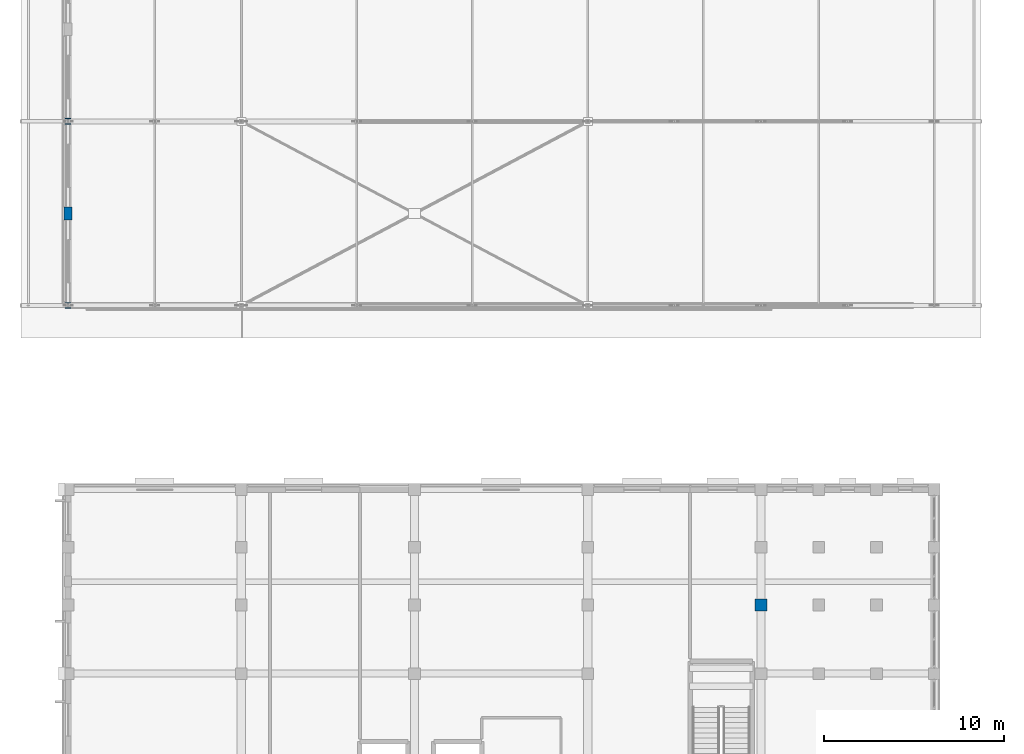
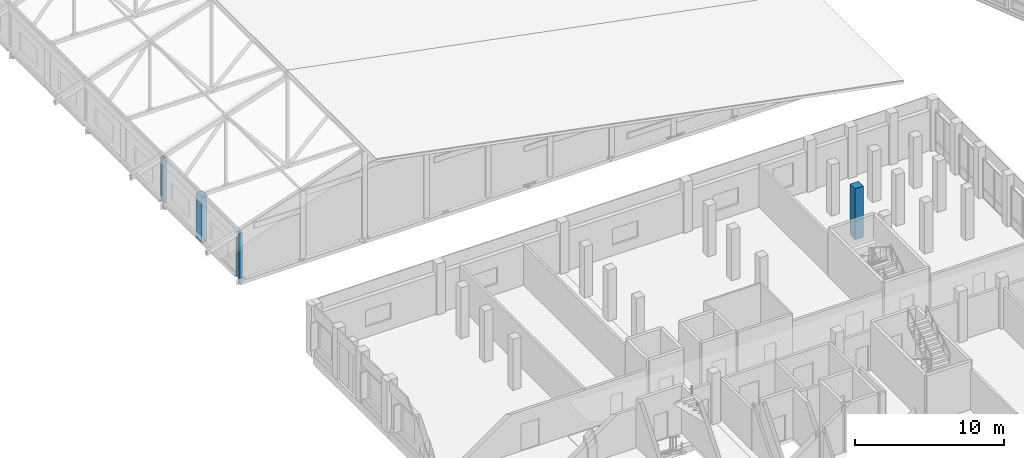
# One storey, part 2 of 200: 4 columns.
"""IFC4 building model written with IfcOpenShell, lengths in metres."""

from ifc_helpers import new_model, si_unit, direction, frame, origin, origin_2d, place, context, subcontext, project, spatial, rectangle, i_section, extrude, material, material_profile, profile_set, type_object, element, save


model = new_model("IFC4")

# Units and contexts
model_context = context("Model", 3, precision=1e-05, world=origin(), true_north=direction((0.0, 1.0)))
body_context = subcontext(model_context, "Body", "Model", "MODEL_VIEW")
ifc_project = project(units=[si_unit("LENGTHUNIT", "METRE"), si_unit("AREAUNIT", "SQUARE_METRE"), si_unit("VOLUMEUNIT", "CUBIC_METRE"), si_unit("PLANEANGLEUNIT", "RADIAN"), si_unit("MASSUNIT", "GRAM", prefix="KILO")], contexts=[model_context])

# Site, building, storey
site_placement = place(None, origin())
site = spatial("IfcSite", under=ifc_project, at=site_placement, CompositionType="ELEMENT")
building_placement = place(site_placement, origin())
building = spatial("IfcBuilding", under=site, at=building_placement, Name="Vondelvale Polytechnic", CompositionType="ELEMENT")
storey_placement = place(building_placement, frame((0.0, 0.0, 13.800048828125)))
storey = spatial("IfcBuildingStorey", under=building, at=storey_placement, Name="L03", CompositionType="ELEMENT", Elevation=13.800048828125)

# Columns
ifc_material_1 = material(Name="Concrete N50 (f'c = 50 MPa)", Category="concrete")
ifc_material_profile_1 = material_profile(ifc_material_1, rectangle(XDim=0.64990234375, YDim=0.64990234375, at=origin_2d()), Name="RC-COL-650x650")
ifc_profile_set_1 = profile_set([ifc_material_profile_1], Name="Concrete N50 (f'c = 50 MPa)")
column_type_1 = type_object("IfcColumnType", Name="COL-RC650", PredefinedType="COLUMN", material=ifc_profile_set_1)
column_1_placement = place(storey_placement, frame((38.39990234375, 34.39990234375, 0.0), z_axis=(0.0, 0.0, 1.0), x_axis=(1.0, 0.0, 0.0)))
element("IfcColumn", 1, at=column_1_placement, inside=storey, type_object=column_type_1, Name="L03 corner wing column (38.4,34.4)", PredefinedType="COLUMN", context=body_context, shape_type="SweptSolid", body=[
    extrude(rectangle(XDim=0.64990234375, YDim=0.64990234375, at=origin_2d()), origin(), (0.0, 0.0, 1.0), 4.199951171875),
])
ifc_material_2 = material(Name="Steel 300PLUS (fy = 300 MPa)", Category="steel")
ifc_material_profile_2 = material_profile(ifc_material_2, i_section(OverallWidth=0.31103515625, OverallDepth=0.326904296875, WebThickness=0.015625, FlangeThickness=0.02490234375, FilletRadius=0.0166015625, at=origin_2d()), Name="310UC158")
ifc_profile_set_2 = profile_set([ifc_material_profile_2], Name="Steel 300PLUS (fy = 300 MPa)")
column_type_2 = type_object("IfcColumnType", Name="COL-UC310H", PredefinedType="COLUMN", material=ifc_profile_set_2)
for number, where, z_axis, x_axis, name in (
    (2, (0.0, 51.0, 0.0), (0.0, 0.0, 1.0), (1.0, 0.0, 0.0), "L03 workshop West high-bay column (0.0,51.0)"),
    (3, (0.0, 61.199951171875, 0.0), (0.0, 0.0, 1.0), (1.0, 0.0, 0.0), "L03 workshop West high-bay column (0.0,61.2)"),
):
    element("IfcColumn", number, at=place(storey_placement, frame(where, z_axis=z_axis, x_axis=x_axis)), inside=storey, type_object=column_type_2, Name=name, PredefinedType="COLUMN", context=body_context, shape_type="SweptSolid", body=[
        extrude(i_section(OverallWidth=0.31103515625, OverallDepth=0.326904296875, WebThickness=0.015625, FlangeThickness=0.02490234375, FilletRadius=0.0166015625, at=origin_2d()), origin(), (0.0, 0.0, 1.0), 3.75),
    ])
ifc_material_profile_3 = material_profile(ifc_material_1, rectangle(XDim=0.449951171875, YDim=0.699951171875, at=origin_2d()), Name="RC-PIL-700x450")
ifc_profile_set_3 = profile_set([ifc_material_profile_3], Name="Concrete N50 (f'c = 50 MPa)")
column_type_3 = type_object("IfcColumnType", Name="PIL-RC700x450", PredefinedType="PILASTER", material=ifc_profile_set_3)
column_2_placement = place(storey_placement, frame((0.0, 56.10009765625, 0.0), z_axis=(0.0, 0.0, 1.0), x_axis=(1.0, 0.0, 0.0)))
element("IfcColumn", 4, at=column_2_placement, inside=storey, type_object=column_type_3, Name="L03 West workshop brick pilaster 1", PredefinedType="PILASTER", context=body_context, shape_type="SweptSolid", body=[
    extrude(rectangle(XDim=0.449951171875, YDim=0.699951171875, at=origin_2d()), origin(), (0.0, 0.0, 1.0), 3.75),
])

save(model, "model.ifc")
